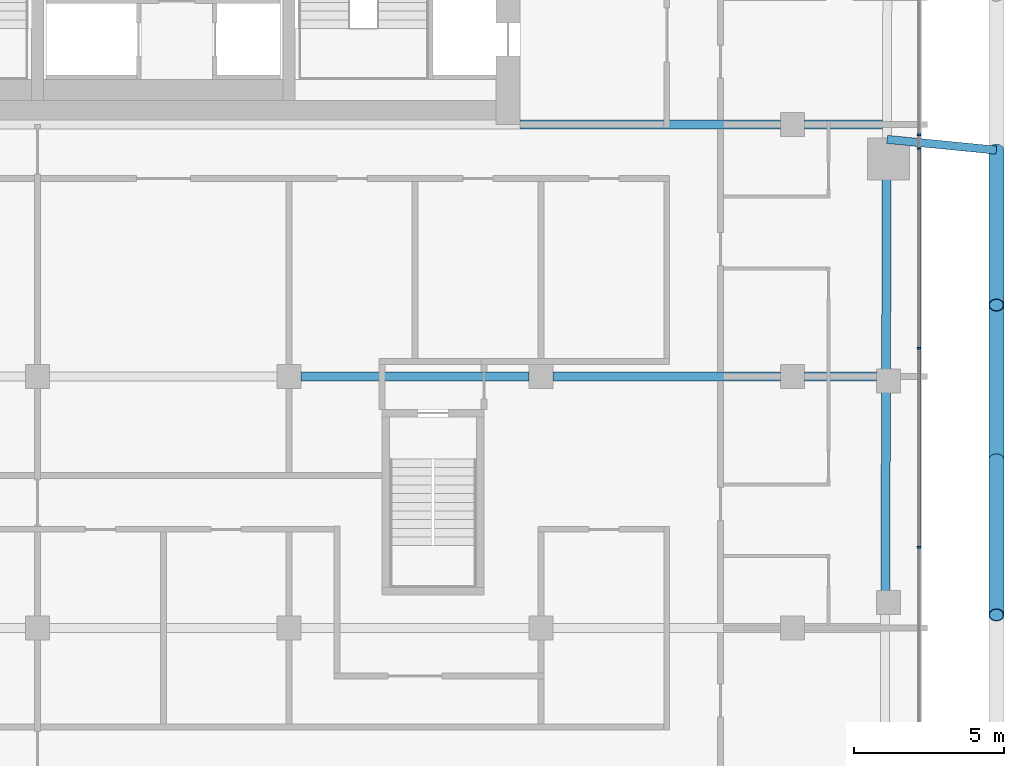
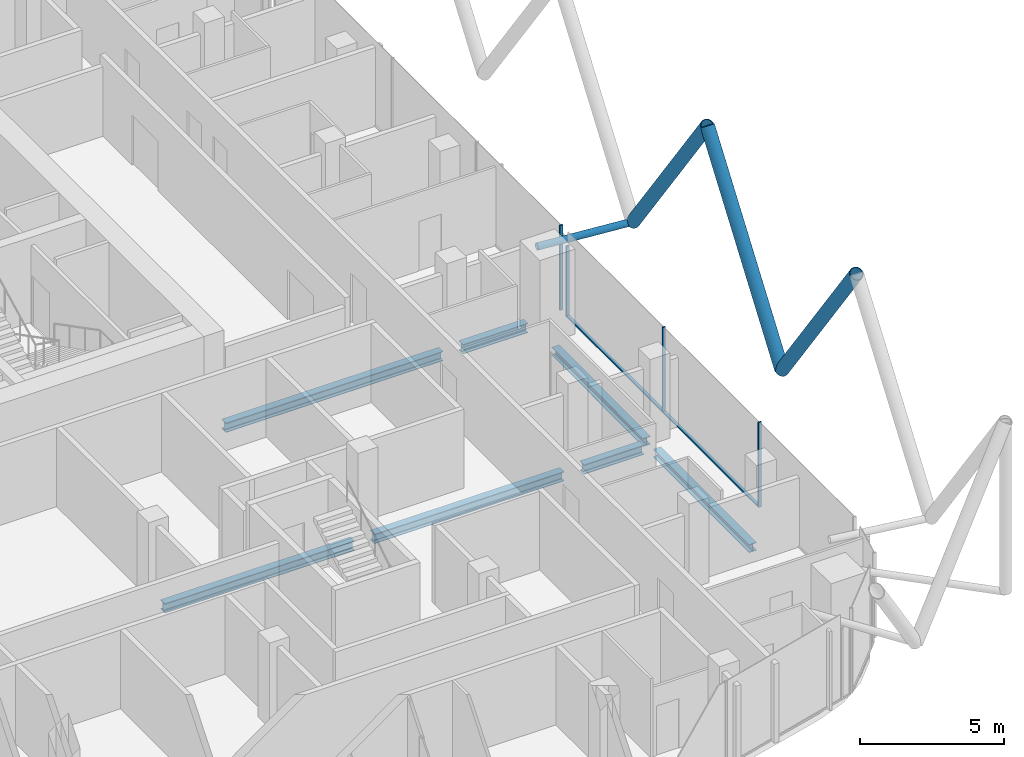
# One storey, part 7 of 31: 10 members, 7 beams, 3 elements without a shape of their own.
"""IFC4 building model written with IfcOpenShell, lengths in metres."""

import ifcopenshell
import ifcopenshell.guid

model = None  # the IFC model being written
_history = None  # IfcOwnerHistory: only IFC2X3 demands one
_inside = {}  # id of a spatial element -> (the spatial element, [elements in it])
_under = {}  # id of a project, library or spatial element -> (it, [spatial elements below it])
_declared = {}  # id of a project -> (the project, [libraries it declares])
_typed = {}  # id of a type object -> (the type object, [elements of that type])
_made_of = {}  # id of a material, layer set ... -> (it, [elements and type objects made of it])


def new_model(schema):
    """Start an empty IFC model of exactly this schema.

    Asked for "IFC4X3", IfcOpenShell would pick the latest addendum, in which some entities
    have other attributes; the version numbers below select the first issue.
    IFC2X3 requires an IfcOwnerHistory on every rooted entity: one is made here for all.
    """
    global model, _history
    if schema == "IFC4X3":
        model = ifcopenshell.file(schema_version=(4, 3, 0, 0))
    else:
        model = ifcopenshell.file(schema=schema)
    _inside.clear()
    _under.clear()
    _declared.clear()
    _typed.clear()
    _made_of.clear()
    _history = None
    if model.schema == "IFC2X3":
        org = make("IfcOrganization", Name="unknown")
        user = make(
            "IfcPersonAndOrganization",
            ThePerson=make("IfcPerson", FamilyName="unknown"),
            TheOrganization=org,
        )
        app = make(
            "IfcApplication",
            ApplicationDeveloper=org,
            Version="unknown",
            ApplicationFullName="unknown",
            ApplicationIdentifier="unknown",
        )
        _history = make(
            "IfcOwnerHistory",
            OwningUser=user,
            OwningApplication=app,
            ChangeAction="ADDED",
            CreationDate=0,
        )
    return model


def make(cls, **values):
    """One entity of the class cls with the attributes given. An attribute that is None is left unset."""
    return model.create_entity(
        cls, **{name: value for name, value in values.items() if value is not None}
    )


def rooted(cls, **values):
    """An entity with a GlobalId (a new one), such as an element, a storey or a relation."""
    return make(cls, GlobalId=ifcopenshell.guid.new(), OwnerHistory=_history, **values)


def si_unit(unit_type, name, prefix=None):
    """IfcSIUnit, for example si_unit("LENGTHUNIT", "METRE", prefix="MILLI")."""
    return make("IfcSIUnit", UnitType=unit_type, Prefix=prefix, Name=name)


def assignment(units):
    """IfcUnitAssignment: the units of a project."""
    return None if units is None else make("IfcUnitAssignment", Units=units)


def point(xyz):
    """IfcCartesianPoint."""
    return None if xyz is None else make("IfcCartesianPoint", Coordinates=xyz)


def direction(xyz):
    """IfcDirection."""
    return None if xyz is None else make("IfcDirection", DirectionRatios=xyz)


def frame(location, z_axis=None, x_axis=None):
    """IfcAxis2Placement3D, a coordinate frame: its origin and axes. An axis left out is left unset."""
    return make(
        "IfcAxis2Placement3D",
        Location=point(location),
        Axis=direction(z_axis),
        RefDirection=direction(x_axis),
    )


def frame_2d(location, x_axis=None):
    """IfcAxis2Placement2D, a coordinate frame in the plane: its origin and x axis."""
    return make(
        "IfcAxis2Placement2D", Location=point(location), RefDirection=direction(x_axis)
    )


def origin():
    """The frame at (0, 0, 0) with its axes left unset."""
    return frame((0.0, 0.0, 0.0))


def origin_2d():
    """The frame at (0, 0) in the plane with its x axis left unset."""
    return frame_2d((0.0, 0.0))


def place(relative_to, where):
    """IfcLocalPlacement: puts the frame where relative to a parent placement (None: the world)."""
    return make(
        "IfcLocalPlacement", PlacementRelTo=relative_to, RelativePlacement=where
    )


def context(
    kind, dimensions, precision=None, world=None, true_north=None, identifier=None
):
    """IfcGeometricRepresentationContext, for example the 3D "Model" context."""
    return make(
        "IfcGeometricRepresentationContext",
        ContextIdentifier=identifier,
        ContextType=kind,
        CoordinateSpaceDimension=dimensions,
        Precision=precision,
        WorldCoordinateSystem=world,
        TrueNorth=true_north,
    )


def subcontext(parent, identifier, kind, view, scale=None):
    """IfcGeometricRepresentationSubContext, for example "Body" below "Model"."""
    return make(
        "IfcGeometricRepresentationSubContext",
        ContextIdentifier=identifier,
        ContextType=kind,
        ParentContext=parent,
        TargetScale=scale,
        TargetView=view,
    )


def project(units=None, contexts=None):
    """IfcProject with its units and contexts."""
    return rooted(
        "IfcProject",
        Name="project",
        RepresentationContexts=contexts,
        UnitsInContext=assignment(units),
    )


def spatial(cls, under=None, at=None, **own):
    """A site, building, storey or space (cls), placed at a placement, below another one or the project."""
    s = rooted(cls, ObjectPlacement=at, **own)
    if under is not None:
        _under.setdefault(under.id(), (under, []))[1].append(s)
    return s


def profile(cls, at=None, kind="AREA", **sizes):
    """A parametric profile (cls). Its sizes go by their IFC names, for example OverallWidth=200.0."""
    return make(cls, ProfileType=kind, Position=at, **sizes)


def rectangle(**sizes):
    """IfcRectangleProfileDef."""
    return profile("IfcRectangleProfileDef", **sizes)


def hollow_circle(**sizes):
    """IfcCircleHollowProfileDef."""
    return profile("IfcCircleHollowProfileDef", **sizes)


def i_section(**sizes):
    """IfcIShapeProfileDef."""
    return profile("IfcIShapeProfileDef", **sizes)


def extrude(swept, where, along, depth):
    """IfcExtrudedAreaSolid: the profile swept, set in the frame where, extruded along a direction by depth."""
    return make(
        "IfcExtrudedAreaSolid",
        SweptArea=swept,
        Position=where,
        ExtrudedDirection=direction(along),
        Depth=depth,
    )


def shape(context_of_items, identifier, shape_type, items):
    """IfcShapeRepresentation: the items that make up one representation, for example the "Body"."""
    return make(
        "IfcShapeRepresentation",
        ContextOfItems=context_of_items,
        RepresentationIdentifier=identifier,
        RepresentationType=shape_type,
        Items=items,
    )


def material(Name=None, Category=None):
    """IfcMaterial."""
    return make("IfcMaterial", Name=Name, Category=Category)


def layer(
    of_material, thickness, ventilated=None, Name=None, Category=None, Priority=None
):
    """IfcMaterialLayer: one layer of a wall or slab, of a material (None: an air gap)."""
    return make(
        "IfcMaterialLayer",
        Material=of_material,
        LayerThickness=thickness,
        IsVentilated=ventilated,
        Name=Name,
        Category=Category,
        Priority=Priority,
    )


def layer_set(layers, Name=None):
    """IfcMaterialLayerSet."""
    return make("IfcMaterialLayerSet", MaterialLayers=layers, LayerSetName=Name)


def material_profile(
    of_material, cross_section, Name=None, Category=None, Priority=None
):
    """IfcMaterialProfile: a cross section and its material."""
    return make(
        "IfcMaterialProfile",
        Name=Name,
        Material=of_material,
        Profile=cross_section,
        Priority=Priority,
        Category=Category,
    )


def profile_set(profiles, Name=None, composite=None):
    """IfcMaterialProfileSet."""
    return make(
        "IfcMaterialProfileSet",
        Name=Name,
        MaterialProfiles=profiles,
        CompositeProfile=composite,
    )


def made_of(thing, what):
    """Note that an element or type object is made of a material, layer set ...; save() writes the relation."""
    if what is not None:
        _made_of.setdefault(what.id(), (what, []))[1].append(thing)
    return thing


def type_object(cls, material=None, **own):
    """A type object (cls), such as IfcWallType, which elements share."""
    return made_of(rooted(cls, **own), material)


def element(
    cls,
    number,
    at=None,
    inside=None,
    cuts=None,
    type_object=None,
    material=None,
    context=None,
    identifier="Body",
    shape_type=None,
    held_by="IfcProductDefinitionShape",
    body=None,
    shapes=None,
    **own,
):
    """One element of the class cls, such as IfcWall. Its Tag is "e" and its number.

    at: its placement. inside: the storey or other place that contains it. cuts: it is an
    opening in that element (IfcRelVoidsElement). A single representation is given by context,
    identifier, shape_type and body (its items); several are given by shapes. held_by: the class
    of the entity that holds the representations. save() writes the other relations.
    """
    e = rooted(cls, Tag="e%d" % number, ObjectPlacement=at, **own)
    if body is not None:
        shapes = [shape(context, identifier, shape_type, body)]
    if shapes is not None:
        e.Representation = make(held_by, Representations=shapes)
    if inside is not None:
        _inside.setdefault(inside.id(), (inside, []))[1].append(e)
    if cuts is not None:
        rooted(
            "IfcRelVoidsElement", RelatingBuildingElement=cuts, RelatedOpeningElement=e
        )
    if type_object is not None:
        _typed.setdefault(type_object.id(), (type_object, []))[1].append(e)
    return made_of(e, material)


def aggregate(whole, parts):
    """IfcRelAggregates: a whole, such as a stair, and the parts it consists of."""
    return rooted("IfcRelAggregates", RelatingObject=whole, RelatedObjects=parts)


def save(model, path):
    """Write the relations noted so far, then the file.

    IfcRelAggregates (storeys below a building ...), IfcRelContainedInSpatialStructure (elements
    in a storey), IfcRelDefinesByType, IfcRelAssociatesMaterial and IfcRelDeclares: one each for
    every whole, place, type object, material and project.
    """
    for whole, parts in _under.values():
        aggregate(whole, parts)
    for where, things in _inside.values():
        rooted(
            "IfcRelContainedInSpatialStructure",
            RelatedElements=things,
            RelatingStructure=where,
        )
    for kind, things in _typed.values():
        rooted("IfcRelDefinesByType", RelatedObjects=things, RelatingType=kind)
    for what, things in _made_of.values():
        rooted("IfcRelAssociatesMaterial", RelatedObjects=things, RelatingMaterial=what)
    for by, libraries in _declared.values():
        rooted("IfcRelDeclares", RelatingContext=by, RelatedDefinitions=libraries)
    model.write(path)


model = new_model("IFC4")

# Units and contexts
model_context = context("Model", 3, precision=1e-05, world=origin(), true_north=direction((0.0, 1.0)))
body_context = subcontext(model_context, "Body", "Model", "MODEL_VIEW")
ifc_project = project(units=[si_unit("LENGTHUNIT", "METRE"), si_unit("AREAUNIT", "SQUARE_METRE"), si_unit("VOLUMEUNIT", "CUBIC_METRE"), si_unit("PLANEANGLEUNIT", "RADIAN"), si_unit("MASSUNIT", "GRAM", prefix="KILO")], contexts=[model_context])

# Site, building, storey
site_placement = place(None, origin())
site = spatial("IfcSite", under=ifc_project, at=site_placement, CompositionType="ELEMENT")
building_placement = place(site_placement, origin())
building = spatial("IfcBuilding", under=site, at=building_placement, Name="Marenta Gate Hotel Tower", CompositionType="ELEMENT")
storey_placement = place(building_placement, frame((0.0, 0.0, 234.5)))
storey = spatial("IfcBuildingStorey", under=building, at=storey_placement, Name="L55", CompositionType="ELEMENT", Elevation=234.5)

# Members
ifc_material_1 = material(Name="Steel S355J2W", Category="steel")
ifc_material_profile_1 = material_profile(ifc_material_1, hollow_circle(Radius=0.25390625, WallThickness=0.02490234375, at=origin_2d()), Name="CHS 508x25")
ifc_profile_set_1 = profile_set([ifc_material_profile_1], Name="Steel S355J2W")
member_type_1 = type_object("IfcMemberType", Name="Diagrid diagonal Z3 CHS 508x25", PredefinedType="BRACE", material=ifc_profile_set_1)
member_1_placement = place(storey_placement, frame((27.800048828125, -0.85009765625, 3.139892578125), z_axis=(0.0, -0.583247791947, 0.812294289767), x_axis=(1.0, 0.0, 0.0)))
element("IfcMember", 1, at=member_1_placement, inside=storey, type_object=member_type_1, Name="L55-DG-6", PredefinedType="BRACE", context=body_context, shape_type="SweptSolid", body=[
    extrude(hollow_circle(Radius=0.25390625, WallThickness=0.02490234375, at=origin_2d()), origin(), (0.0, 0.0, 1.0), 8.864013671875),
])
member_2_placement = place(storey_placement, frame((27.800048828125, -11.190185546875, 3.139892578125), z_axis=(0.0, 0.583265964901, 0.81228124082), x_axis=(-1.0, 0.0, 0.0)))
element("IfcMember", 2, at=member_2_placement, inside=storey, type_object=member_type_1, Name="L55-DG-7", PredefinedType="BRACE", context=body_context, shape_type="SweptSolid", body=[
    extrude(hollow_circle(Radius=0.25390625, WallThickness=0.02490234375, at=origin_2d()), origin(), (0.0, 0.0, 1.0), 8.8642578125),
])
member_3_placement = place(storey_placement, frame((27.800048828125, -11.190185546875, 3.139892578125), z_axis=(0.0, -0.583247791947, 0.812294289767), x_axis=(1.0, 0.0, 0.0)))
element("IfcMember", 3, at=member_3_placement, inside=storey, type_object=member_type_1, Name="L55-DG-8", PredefinedType="BRACE", context=body_context, shape_type="SweptSolid", body=[
    extrude(hollow_circle(Radius=0.25390625, WallThickness=0.02490234375, at=origin_2d()), origin(), (0.0, 0.0, 1.0), 8.864013671875),
])

# Beams
ifc_material_2 = material(Name="Steel S355", Category="steel")
ifc_material_profile_2 = material_profile(ifc_material_2, i_section(OverallWidth=0.300048828125, OverallDepth=0.340087890625, WebThickness=0.011962890625, FlangeThickness=0.021484375, FilletRadius=0.027099609375, at=origin_2d()), Name="HEB 340")
ifc_profile_set_2 = profile_set([ifc_material_profile_2], Name="Steel S355")
beam_type_1 = type_object("IfcBeamType", Name="Edge beam HEB 340", PredefinedType="SPANDREL", material=ifc_profile_set_2)
beam_1_placement = place(storey_placement, frame((24.1396484375, -1.81005859375, -0.429931640625), z_axis=(-0.003328723523, -0.999994459785, 0.0), x_axis=(0.999994459785, -0.003328723523, 0.0)))
element("IfcBeam", 4, at=beam_1_placement, inside=storey, type_object=beam_type_1, Name="L55-EB-25", PredefinedType="SPANDREL", context=body_context, shape_type="SweptSolid", body=[
    extrude(i_section(OverallWidth=0.300048828125, OverallDepth=0.340087890625, WebThickness=0.011962890625, FlangeThickness=0.021484375, FilletRadius=0.027099609375, at=origin_2d()), origin(), (0.0, 0.0, 1.0), 6.380859375),
])
beam_2_placement = place(storey_placement, frame((24.115966796875, -8.910888671875, -0.429931640625), z_axis=(-0.00332539729, -0.999994470851, 0.0), x_axis=(0.999994470851, -0.00332539729, 0.0)))
element("IfcBeam", 5, at=beam_2_placement, inside=storey, type_object=beam_type_1, Name="L55-EB-26", PredefinedType="SPANDREL", context=body_context, shape_type="SweptSolid", body=[
    extrude(i_section(OverallWidth=0.300048828125, OverallDepth=0.340087890625, WebThickness=0.011962890625, FlangeThickness=0.021484375, FilletRadius=0.027099609375, at=origin_2d()), origin(), (0.0, 0.0, 1.0), 6.680908203125),
])

# Member
ifc_material_3 = material(Name="Steel S355J2W", Category="steel")
ifc_material_profile_3 = material_profile(ifc_material_3, hollow_circle(Radius=0.136474609375, WallThickness=0.012451171875, at=origin_2d()), Name="CHS 273x12.5")
ifc_profile_set_3 = profile_set([ifc_material_profile_3], Name="Steel S355J2W")
member_type_2 = type_object("IfcMemberType", Name="Floor tie CHS 273x12.5", PredefinedType="STRUT", material=ifc_profile_set_3)
member_4_placement = place(storey_placement, frame((27.800048828125, -0.85009765625, 3.139892578125), z_axis=(-0.995181771772, 0.098047137303, 0.0), x_axis=(-0.098047137303, -0.995181771772, 0.0)))
element("IfcMember", 6, at=member_4_placement, inside=storey, type_object=member_type_2, Name="L55-DR-9", PredefinedType="STRUT", context=body_context, shape_type="SweptSolid", body=[
    extrude(hollow_circle(Radius=0.136474609375, WallThickness=0.012451171875, at=origin_2d()), origin(), (0.0, 0.0, 1.0), 3.667724609375),
])

# Beams
ifc_material_4 = material(Name="Steel S355", Category="steel")
ifc_material_profile_4 = material_profile(ifc_material_4, i_section(OverallWidth=0.300048828125, OverallDepth=0.39990234375, WebThickness=0.013427734375, FlangeThickness=0.02392578125, FilletRadius=0.027099609375, at=origin_2d()), Name="HEB 400")
ifc_profile_set_4 = profile_set([ifc_material_profile_4], Name="Steel S355")
beam_type_2 = type_object("IfcBeamType", Name="Girder HEB 400", PredefinedType="BEAM", material=ifc_profile_set_4)
beam_3_placement = place(storey_placement, frame((4.60009765625, -8.39990234375, -0.4599609375), z_axis=(1.0, 0.0, 0.0), x_axis=(0.0, 1.0, 0.0)))
element("IfcBeam", 7, at=beam_3_placement, inside=storey, type_object=beam_type_2, Name="L55-GD-17", PredefinedType="BEAM", context=body_context, shape_type="SweptSolid", body=[
    extrude(i_section(OverallWidth=0.300048828125, OverallDepth=0.39990234375, WebThickness=0.013427734375, FlangeThickness=0.02392578125, FilletRadius=0.027099609375, at=origin_2d()), origin(), (0.0, 0.0, 1.0), 7.599853515625),
])
beam_4_placement = place(storey_placement, frame((13.0, -8.39990234375, -0.4599609375), z_axis=(1.0, 0.0, 0.0), x_axis=(0.0, 1.0, 0.0)))
element("IfcBeam", 8, at=beam_4_placement, inside=storey, type_object=beam_type_2, Name="L55-GD-18", PredefinedType="BEAM", context=body_context, shape_type="SweptSolid", body=[
    extrude(i_section(OverallWidth=0.300048828125, OverallDepth=0.39990234375, WebThickness=0.013427734375, FlangeThickness=0.02392578125, FilletRadius=0.027099609375, at=origin_2d()), origin(), (0.0, 0.0, 1.0), 7.60009765625),
])
beam_5_placement = place(storey_placement, frame((21.39990234375, -8.39990234375, -0.4599609375), z_axis=(1.0, 0.0, 0.0), x_axis=(0.0, 1.0, 0.0)))
element("IfcBeam", 9, at=beam_5_placement, inside=storey, type_object=beam_type_2, Name="L55-GD-19", PredefinedType="BEAM", context=body_context, shape_type="SweptSolid", body=[
    extrude(i_section(OverallWidth=0.300048828125, OverallDepth=0.39990234375, WebThickness=0.013427734375, FlangeThickness=0.02392578125, FilletRadius=0.027099609375, at=origin_2d()), origin(), (0.0, 0.0, 1.0), 2.400146484375),
])
beam_6_placement = place(storey_placement, frame((11.89990234375, 0.0, -0.4599609375), z_axis=(1.0, 0.0, 0.0), x_axis=(0.0, 1.0, 0.0)))
element("IfcBeam", 10, at=beam_6_placement, inside=storey, type_object=beam_type_2, Name="L55-GD-23", PredefinedType="BEAM", context=body_context, shape_type="SweptSolid", body=[
    extrude(i_section(OverallWidth=0.300048828125, OverallDepth=0.39990234375, WebThickness=0.013427734375, FlangeThickness=0.02392578125, FilletRadius=0.027099609375, at=origin_2d()), origin(), (0.0, 0.0, 1.0), 8.7001953125),
])
beam_7_placement = place(storey_placement, frame((21.39990234375, 0.0, -0.4599609375), z_axis=(1.0, 0.0, 0.0), x_axis=(0.0, 1.0, 0.0)))
element("IfcBeam", 11, at=beam_7_placement, inside=storey, type_object=beam_type_2, Name="L55-GD-24", PredefinedType="BEAM", context=body_context, shape_type="SweptSolid", body=[
    extrude(i_section(OverallWidth=0.300048828125, OverallDepth=0.39990234375, WebThickness=0.013427734375, FlangeThickness=0.02392578125, FilletRadius=0.027099609375, at=origin_2d()), origin(), (0.0, 0.0, 1.0), 2.595703125),
])

# Curtain wall, members
ifc_material_5 = material(Name="Tinted insulated glass in bronze anodised frame", Category="glass")
ifc_layer = layer(ifc_material_5, 0.1201171875)
ifc_layer_set = layer_set([ifc_layer], Name="Tinted insulated glass in bronze anodised frame")
curtain_wall_type = type_object("IfcCurtainWallType", Name="Tower unitised curtain wall CW1", PredefinedType="NOTDEFINED", material=ifc_layer_set)
curtain_wall_1_placement = place(storey_placement, origin())
curtain_wall_1 = element("IfcCurtainWall", 12, at=curtain_wall_1_placement, inside=storey, type_object=curtain_wall_type, Name="CW1 run G32", PredefinedType="NOTDEFINED")
ifc_material_6 = material(Name="Bronze anodised aluminium", Category="aluminium")
ifc_material_profile_5 = material_profile(ifc_material_6, rectangle(XDim=0.1201171875, YDim=0.06005859375, at=origin_2d()), Name="Mullion CW1 60x120 bronze anodised aluminium")
ifc_profile_set_5 = profile_set([ifc_material_profile_5], Name="Bronze anodised aluminium")
member_type_3 = type_object("IfcMemberType", Name="Mullion CW1 60x120 bronze anodised aluminium", PredefinedType="MULLION", material=ifc_profile_set_5)
member_5_placement = place(storey_placement, frame((25.214111328125, -14.103515625, 0.0), z_axis=(0.0, 0.0, 1.0), x_axis=(-1.0, 0.0, 0.0)))
member_5 = element("IfcMember", 13, at=member_5_placement, type_object=member_type_3, Name="CW1 mullion 2", PredefinedType="MULLION", context=body_context, shape_type="SweptSolid", body=[
    extrude(rectangle(XDim=0.1201171875, YDim=0.06005859375, at=origin_2d()), origin(), (0.0, 0.0, 1.0), 3.60009765625),
])
member_6_placement = place(storey_placement, frame((25.214111328125, -7.46337890625, 0.0), z_axis=(0.0, 0.0, 1.0), x_axis=(-1.0, 0.0, 0.0)))
member_6 = element("IfcMember", 14, at=member_6_placement, type_object=member_type_3, Name="CW1 mullion 3", PredefinedType="MULLION", context=body_context, shape_type="SweptSolid", body=[
    extrude(rectangle(XDim=0.1201171875, YDim=0.06005859375, at=origin_2d()), origin(), (0.0, 0.0, 1.0), 3.60009765625),
])

# Curtain wall, member
curtain_wall_2_placement = place(storey_placement, origin())
curtain_wall_2 = element("IfcCurtainWall", 15, at=curtain_wall_2_placement, inside=storey, type_object=curtain_wall_type, Name="CW1 run G33", PredefinedType="NOTDEFINED")
member_7_placement = place(storey_placement, frame((25.214111328125, -0.79296875, 0.0), z_axis=(0.0, 0.0, 1.0), x_axis=(-1.0, 0.0, 0.0)))
member_7 = element("IfcMember", 16, at=member_7_placement, type_object=member_type_3, Name="CW1 mullion 1", PredefinedType="MULLION", context=body_context, shape_type="SweptSolid", body=[
    extrude(rectangle(XDim=0.1201171875, YDim=0.06005859375, at=origin_2d()), origin(), (0.0, 0.0, 1.0), 3.00048828125),
])
aggregate(curtain_wall_2, [member_7])

curtain_wall_3_placement = place(storey_placement, origin())
curtain_wall_3 = element("IfcCurtainWall", 17, at=curtain_wall_3_placement, inside=storey, type_object=curtain_wall_type, Name="CW1 run G34", PredefinedType="NOTDEFINED")
member_8_placement = place(storey_placement, frame((25.214111328125, -0.337890625, 0.0), z_axis=(0.0, 0.0, 1.0), x_axis=(-1.0, 0.0, 0.0)))
member_8 = element("IfcMember", 18, at=member_8_placement, type_object=member_type_3, Name="CW1 mullion 1", PredefinedType="MULLION", context=body_context, shape_type="SweptSolid", body=[
    extrude(rectangle(XDim=0.1201171875, YDim=0.06005859375, at=origin_2d()), origin(), (0.0, 0.0, 1.0), 3.60009765625),
])
aggregate(curtain_wall_3, [member_8])

# Member
ifc_material_7 = material(Name="Bronze anodised aluminium", Category="aluminium")
ifc_material_profile_6 = material_profile(ifc_material_7, rectangle(XDim=0.1201171875, YDim=0.06005859375, at=origin_2d()), Name="Transom CW1 60x120 bronze anodised aluminium")
ifc_profile_set_6 = profile_set([ifc_material_profile_6], Name="Bronze anodised aluminium")
member_type_4 = type_object("IfcMemberType", Name="Transom CW1 60x120 bronze anodised aluminium", PredefinedType="USERDEFINED", material=ifc_profile_set_6)
member_9_placement = place(storey_placement, frame((25.214111328125, -14.073486328125, 0.030029296875), z_axis=(0.0, 1.0, 0.0), x_axis=(-1.0, 0.0, 0.0)))
member_9 = element("IfcMember", 19, at=member_9_placement, type_object=member_type_4, Name="CW1 transom 2.1", ObjectType="TRANSOM", PredefinedType="USERDEFINED", context=body_context, shape_type="SweptSolid", body=[
    extrude(rectangle(XDim=0.1201171875, YDim=0.06005859375, at=origin_2d()), origin(), (0.0, 0.0, 1.0), 6.580078125),
])

member_10_placement = place(storey_placement, frame((25.214111328125, -7.433349609375, 0.030029296875), z_axis=(0.0, 1.0, 0.0), x_axis=(-1.0, 0.0, 0.0)))
member_10 = element("IfcMember", 20, at=member_10_placement, type_object=member_type_4, Name="CW1 transom 3.1", ObjectType="TRANSOM", PredefinedType="USERDEFINED", context=body_context, shape_type="SweptSolid", body=[
    extrude(rectangle(XDim=0.1201171875, YDim=0.06005859375, at=origin_2d()), origin(), (0.0, 0.0, 1.0), 6.6103515625),
])

aggregate(curtain_wall_1, [member_5, member_6, member_9, member_10])

save(model, "model.ifc")
